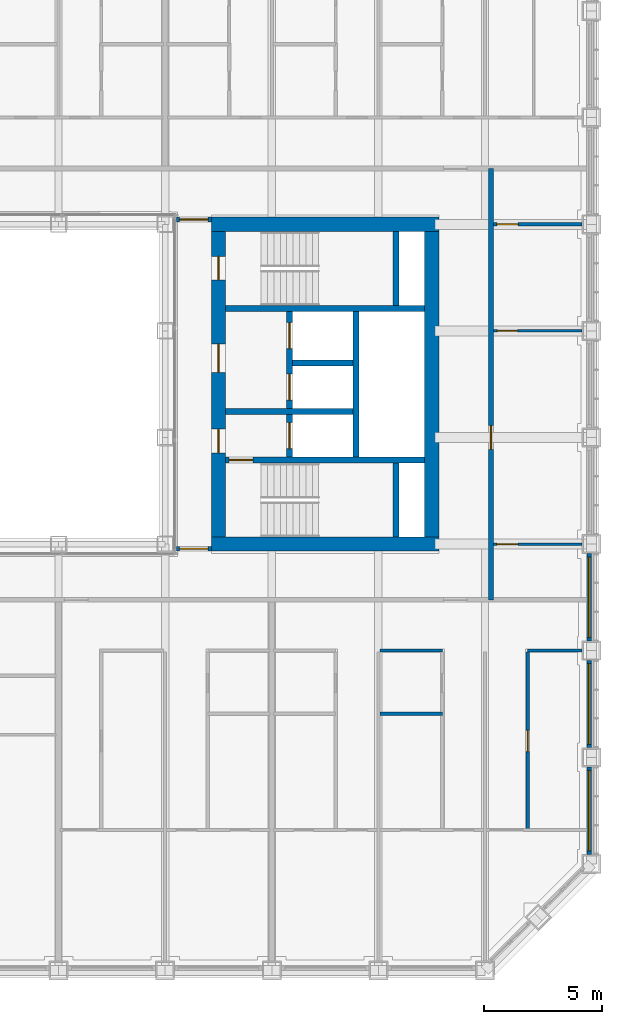
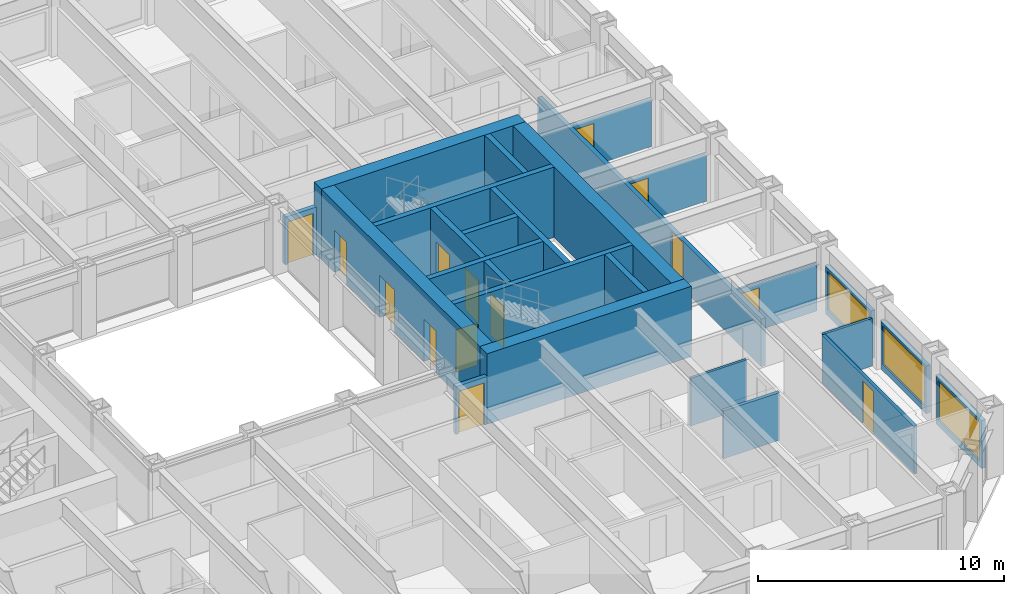
# One storey, part 12 of 21: 25 walls, 14 doors, 3 windows, 17 openings.
"""IFC4 building model written with IfcOpenShell, lengths in metres."""

from ifc_helpers import new_model, si_unit, direction, frame, frame_2d, origin, place, context, subcontext, project, spatial, rectangle, extrude, material, layer, layer_set, type_object, element, fill, save


model = new_model("IFC4")

# Units and contexts
model_context = context("Model", 3, precision=1e-05, world=origin(), true_north=direction((0.0, 1.0)))
body_context = subcontext(model_context, "Body", "Model", "MODEL_VIEW")
ifc_project = project(units=[si_unit("LENGTHUNIT", "METRE"), si_unit("AREAUNIT", "SQUARE_METRE"), si_unit("VOLUMEUNIT", "CUBIC_METRE"), si_unit("PLANEANGLEUNIT", "RADIAN"), si_unit("MASSUNIT", "GRAM", prefix="KILO")], contexts=[model_context])

# Site, building, storey
site_placement = place(None, origin())
site = spatial("IfcSite", under=ifc_project, at=site_placement, CompositionType="ELEMENT")
building_placement = place(site_placement, origin())
building = spatial("IfcBuilding", under=site, at=building_placement, Name="Msasa Ring Tower", CompositionType="ELEMENT")
storey_placement = place(building_placement, frame((0.0, 0.0, 72.0)))
storey = spatial("IfcBuildingStorey", under=building, at=storey_placement, Name="L18", CompositionType="ELEMENT", Elevation=72.0)

# Walls
ifc_material_1 = material(Name="Concrete C60/75", Category="concrete")
ifc_layer_1 = layer(ifc_material_1, 0.60009765625)
ifc_layer_set_1 = layer_set([ifc_layer_1], Name="CW1 CORE WALL 600")
wall_type_1 = type_object("IfcWallType", Name="CW1 CORE WALL 600", PredefinedType="SHEAR", material=ifc_layer_set_1)
for number, where, z_axis, x_axis, name in (
    (1, (8.699951171875, -6.75, 0.0), (0.0, 0.0, 1.0), (1.0, 0.0, 0.0), "E core wall S L18"),
    (2, (8.699951171875, 6.75, 0.0), (0.0, 0.0, 1.0), (1.0, 0.0, 0.0), "E core wall N L18"),
):
    element("IfcWall", number, at=place(storey_placement, frame(where, z_axis=z_axis, x_axis=x_axis)), inside=storey, type_object=wall_type_1, Name=name, PredefinedType="SHEAR", context=body_context, shape_type="SweptSolid", body=[
        extrude(rectangle(XDim=9.60009765625, YDim=0.60009765625, at=frame_2d((4.800048828125, 0.0))), origin(), (0.0, 0.0, 1.0), 3.5),
    ])

# Wall, openings, doors
wall_1_placement = place(storey_placement, frame((9.0, -6.449951171875, 0.0), z_axis=(0.0, 0.0, 1.0), x_axis=(0.0, 1.0, 0.0)))
wall_1 = element("IfcWall", 3, at=wall_1_placement, inside=storey, type_object=wall_type_1, Name="E core wall W L18", PredefinedType="SHEAR", context=body_context, shape_type="SweptSolid", body=[
    extrude(rectangle(XDim=12.89990234375, YDim=0.60009765625, at=frame_2d((6.449951171875, 0.0))), origin(), (0.0, 0.0, 1.0), 3.5),
])
opening_1_placement = place(wall_1_placement, frame((3.550048828125, 0.0, 0.0)))
opening_1 = element("IfcOpeningElement", 4, at=opening_1_placement, cuts=wall_1, Name="Opening RE-050", PredefinedType="OPENING", context=body_context, shape_type="SweptSolid", body=[
    extrude(rectangle(XDim=1.0, YDim=2.10009765625, at=frame_2d((0.5, 1.050048828125))), frame((0.0, 0.31005859375, 0.0), z_axis=(0.0, -1.0, 0.0), x_axis=(1.0, 0.0, 0.0)), (0.0, 0.0, 1.0), 0.6201171875),
])
opening_2_placement = place(wall_1_placement, frame((6.949951171875, 0.0, 0.0)))
opening_2 = element("IfcOpeningElement", 5, at=opening_2_placement, cuts=wall_1, Name="Opening RE-045", PredefinedType="OPENING", context=body_context, shape_type="SweptSolid", body=[
    extrude(rectangle(XDim=1.199951171875, YDim=2.10009765625, at=frame_2d((0.60009765625, 1.050048828125))), frame((0.0, 0.31005859375, 0.0), z_axis=(0.0, -1.0, 0.0), x_axis=(1.0, 0.0, 0.0)), (0.0, 0.0, 1.0), 0.6201171875),
])
opening_3_placement = place(wall_1_placement, frame((10.85009765625, 0.0, 0.0)))
opening_3 = element("IfcOpeningElement", 6, at=opening_3_placement, cuts=wall_1, Name="Opening RE-041", PredefinedType="OPENING", context=body_context, shape_type="SweptSolid", body=[
    extrude(rectangle(XDim=1.0, YDim=2.10009765625, at=frame_2d((0.5, 1.050048828125))), frame((0.0, 0.31005859375, 0.0), z_axis=(0.0, -1.0, 0.0), x_axis=(1.0, 0.0, 0.0)), (0.0, 0.0, 1.0), 0.6201171875),
])
ifc_material_2 = material(Name="Timber door leaf in a steel frame", Category="steel")
door_type_1 = type_object("IfcDoorType", Name="D4 LOBBY DOOR 1000x2100", OperationType="SINGLE_SWING_LEFT", PredefinedType="DOOR", material=ifc_material_2)
door_1_placement = place(opening_1_placement, origin())
door_1 = element("IfcDoor", 7, at=door_1_placement, inside=storey, type_object=door_type_1, Name="Door L18-EFFL", OperationType="SINGLE_SWING_LEFT", OverallHeight=2.10009765625, OverallWidth=1.0, PredefinedType="DOOR", context=body_context, shape_type="SweptSolid", body=[
    extrude(rectangle(XDim=1.0, YDim=2.10009765625, at=frame_2d((0.5, 1.050048828125))), frame((0.0, 0.02490234375, 0.0), z_axis=(0.0, -1.0, 0.0), x_axis=(1.0, 0.0, 0.0)), (0.0, 0.0, 1.0), 0.050048828125),
])
fill(opening_1, door_1)
ifc_material_3 = material(Name="Timber door leaf in a steel frame", Category="steel")
door_type_2 = type_object("IfcDoorType", Name="D5 WIDE LOBBY DOOR 1200x2100", OperationType="SINGLE_SWING_LEFT", PredefinedType="DOOR", material=ifc_material_3)
door_2_placement = place(opening_2_placement, origin())
door_2 = element("IfcDoor", 8, at=door_2_placement, inside=storey, type_object=door_type_2, Name="Door L18-ELL", OperationType="SINGLE_SWING_RIGHT", OverallHeight=2.10009765625, OverallWidth=1.199951171875, PredefinedType="DOOR", context=body_context, shape_type="SweptSolid", body=[
    extrude(rectangle(XDim=1.199951171875, YDim=2.10009765625, at=frame_2d((0.60009765625, 1.050048828125))), frame((0.0, 0.02490234375, 0.0), z_axis=(0.0, -1.0, 0.0), x_axis=(1.0, 0.0, 0.0)), (0.0, 0.0, 1.0), 0.050048828125),
])
fill(opening_2, door_2)
ifc_material_4 = material(Name="Timber door leaf in a steel frame", Category="steel")
door_type_3 = type_object("IfcDoorType", Name="D6 STAIR DOOR 1000x2100", OperationType="SINGLE_SWING_LEFT", PredefinedType="DOOR", material=ifc_material_4)
door_3_placement = place(opening_3_placement, origin())
door_3 = element("IfcDoor", 9, at=door_3_placement, inside=storey, type_object=door_type_3, Name="Door L18-ESTB", OperationType="SINGLE_SWING_RIGHT", OverallHeight=2.10009765625, OverallWidth=1.0, PredefinedType="DOOR", context=body_context, shape_type="SweptSolid", body=[
    extrude(rectangle(XDim=1.0, YDim=2.10009765625, at=frame_2d((0.5, 1.050048828125))), frame((0.0, 0.02490234375, 0.0), z_axis=(0.0, -1.0, 0.0), x_axis=(1.0, 0.0, 0.0)), (0.0, 0.0, 1.0), 0.050048828125),
])
fill(opening_3, door_3)

# Wall
wall_2_placement = place(storey_placement, frame((18.0, -6.449951171875, 0.0), z_axis=(0.0, 0.0, 1.0), x_axis=(0.0, 1.0, 0.0)))
element("IfcWall", 10, at=wall_2_placement, inside=storey, type_object=wall_type_1, Name="E core wall E L18", PredefinedType="SHEAR", context=body_context, shape_type="SweptSolid", body=[
    extrude(rectangle(XDim=12.89990234375, YDim=0.60009765625, at=frame_2d((6.449951171875, 0.0))), origin(), (0.0, 0.0, 1.0), 3.5),
])

# Wall, opening, door
ifc_material_5 = material(Name="Concrete C60/75", Category="concrete")
ifc_layer_2 = layer(ifc_material_5, 0.25)
ifc_layer_set_2 = layer_set([ifc_layer_2], Name="CW4 CORE INNER WALL 250")
wall_type_2 = type_object("IfcWallType", Name="CW4 CORE INNER WALL 250", PredefinedType="SHEAR", material=ifc_layer_set_2)
wall_3_placement = place(storey_placement, frame((9.300048828125, -3.199951171875, 0.0), z_axis=(0.0, 0.0, 1.0), x_axis=(1.0, 0.0, 0.0)))
wall_3 = element("IfcWall", 11, at=wall_3_placement, inside=storey, type_object=wall_type_2, Name="E core wall STAIRA L18", PredefinedType="SHEAR", context=body_context, shape_type="SweptSolid", body=[
    extrude(rectangle(XDim=8.39990234375, YDim=0.25, at=frame_2d((4.199951171875, 0.0))), origin(), (0.0, 0.0, 1.0), 3.5),
])
opening_4_placement = place(wall_3_placement, frame((0.14990234375, 0.0, 0.0)))
opening_4 = element("IfcOpeningElement", 12, at=opening_4_placement, cuts=wall_3, Name="Opening RE-052", PredefinedType="OPENING", context=body_context, shape_type="SweptSolid", body=[
    extrude(rectangle(XDim=1.0, YDim=2.10009765625, at=frame_2d((0.5, 1.050048828125))), frame((0.0, 0.135009765625, 0.0), z_axis=(0.0, -1.0, 0.0), x_axis=(1.0, 0.0, 0.0)), (0.0, 0.0, 1.0), 0.27001953125),
])
door_4_placement = place(opening_4_placement, origin())
door_4 = element("IfcDoor", 13, at=door_4_placement, inside=storey, type_object=door_type_3, Name="Door L18-ESTA", OperationType="SINGLE_SWING_LEFT", OverallHeight=2.10009765625, OverallWidth=1.0, PredefinedType="DOOR", context=body_context, shape_type="SweptSolid", body=[
    extrude(rectangle(XDim=1.0, YDim=2.10009765625, at=frame_2d((0.5, 1.050048828125))), frame((0.0, 0.02490234375, 0.0), z_axis=(0.0, -1.0, 0.0), x_axis=(1.0, 0.0, 0.0)), (0.0, 0.0, 1.0), 0.050048828125),
])
fill(opening_4, door_4)

# Walls
wall_4_placement = place(storey_placement, frame((9.300048828125, 3.199951171875, 0.0), z_axis=(0.0, 0.0, 1.0), x_axis=(1.0, 0.0, 0.0)))
element("IfcWall", 14, at=wall_4_placement, inside=storey, type_object=wall_type_2, Name="E core wall STAIRB L18", PredefinedType="SHEAR", context=body_context, shape_type="SweptSolid", body=[
    extrude(rectangle(XDim=8.39990234375, YDim=0.25, at=frame_2d((4.199951171875, 0.0))), origin(), (0.0, 0.0, 1.0), 3.5),
])
for number, where, z_axis, x_axis, name in (
    (15, (16.5, -6.449951171875, 0.0), (0.0, 0.0, 1.0), (0.0, 1.0, 0.0), "E core wall RISERA L18"),
    (16, (16.5, 3.324951171875, 0.0), (0.0, 0.0, 1.0), (0.0, 1.0, 0.0), "E core wall RISERB L18"),
):
    element("IfcWall", number, at=place(storey_placement, frame(where, z_axis=z_axis, x_axis=x_axis)), inside=storey, type_object=wall_type_2, Name=name, PredefinedType="SHEAR", context=body_context, shape_type="SweptSolid", body=[
        extrude(rectangle(XDim=3.125, YDim=0.25, at=frame_2d((1.5625, 0.0))), origin(), (0.0, 0.0, 1.0), 3.5),
    ])
wall_5_placement = place(storey_placement, frame((9.300048828125, -1.14990234375, 0.0), z_axis=(0.0, 0.0, 1.0), x_axis=(1.0, 0.0, 0.0)))
element("IfcWall", 17, at=wall_5_placement, inside=storey, type_object=wall_type_2, Name="E core wall FFL L18", PredefinedType="SHEAR", context=body_context, shape_type="SweptSolid", body=[
    extrude(rectangle(XDim=5.375, YDim=0.25, at=frame_2d((2.6875, 0.0))), origin(), (0.0, 0.0, 1.0), 3.5),
])

# Wall, openings, doors
wall_6_placement = place(storey_placement, frame((12.0, -3.074951171875, 0.0), z_axis=(0.0, 0.0, 1.0), x_axis=(0.0, 1.0, 0.0)))
wall_6 = element("IfcWall", 18, at=wall_6_placement, inside=storey, type_object=wall_type_2, Name="E core wall LOBBY L18", PredefinedType="SHEAR", context=body_context, shape_type="SweptSolid", body=[
    extrude(rectangle(XDim=6.14990234375, YDim=0.25, at=frame_2d((3.074951171875, 0.0))), origin(), (0.0, 0.0, 1.0), 3.5),
])
opening_5_placement = place(wall_6_placement, frame((0.35009765625, 0.0, 0.0)))
opening_5 = element("IfcOpeningElement", 19, at=opening_5_placement, cuts=wall_6, Name="Opening LD1", PredefinedType="OPENING", context=body_context, shape_type="SweptSolid", body=[
    extrude(rectangle(XDim=1.10009765625, YDim=2.10009765625, at=frame_2d((0.550048828125, 1.050048828125))), frame((0.0, 0.135009765625, 0.0), z_axis=(0.0, -1.0, 0.0), x_axis=(1.0, 0.0, 0.0)), (0.0, 0.0, 1.0), 0.27001953125),
])
opening_6_placement = place(wall_6_placement, frame((2.39990234375, 0.0, 0.0)))
opening_6 = element("IfcOpeningElement", 20, at=opening_6_placement, cuts=wall_6, Name="Opening LD1", PredefinedType="OPENING", context=body_context, shape_type="SweptSolid", body=[
    extrude(rectangle(XDim=1.10009765625, YDim=2.10009765625, at=frame_2d((0.550048828125, 1.050048828125))), frame((0.0, 0.135009765625, 0.0), z_axis=(0.0, -1.0, 0.0), x_axis=(1.0, 0.0, 0.0)), (0.0, 0.0, 1.0), 0.27001953125),
])
opening_7_placement = place(wall_6_placement, frame((4.574951171875, 0.0, 0.0)))
opening_7 = element("IfcOpeningElement", 21, at=opening_7_placement, cuts=wall_6, Name="Opening LD1", PredefinedType="OPENING", context=body_context, shape_type="SweptSolid", body=[
    extrude(rectangle(XDim=1.10009765625, YDim=2.10009765625, at=frame_2d((0.550048828125, 1.050048828125))), frame((0.0, 0.135009765625, 0.0), z_axis=(0.0, -1.0, 0.0), x_axis=(1.0, 0.0, 0.0)), (0.0, 0.0, 1.0), 0.27001953125),
])
ifc_material_6 = material(Name="Stainless steel lift landing door", Category="steel")
door_type_4 = type_object("IfcDoorType", Name="LD1 LIFT LANDING DOOR 1100x2100", OperationType="DOUBLE_DOOR_SLIDING", PredefinedType="DOOR", material=ifc_material_6)
door_5_placement = place(opening_5_placement, origin())
door_5 = element("IfcDoor", 22, at=door_5_placement, inside=storey, type_object=door_type_4, Name="Lift landing door FL-E L18", OperationType="DOUBLE_DOOR_SLIDING", OverallHeight=2.10009765625, OverallWidth=1.10009765625, PredefinedType="DOOR", context=body_context, shape_type="SweptSolid", body=[
    extrude(rectangle(XDim=1.10009765625, YDim=2.10009765625, at=frame_2d((0.550048828125, 1.050048828125))), frame((0.0, 0.02490234375, 0.0), z_axis=(0.0, -1.0, 0.0), x_axis=(1.0, 0.0, 0.0)), (0.0, 0.0, 1.0), 0.050048828125),
])
fill(opening_5, door_5)
door_6_placement = place(opening_6_placement, origin())
door_6 = element("IfcDoor", 23, at=door_6_placement, inside=storey, type_object=door_type_4, Name="Lift landing door PL-R1 L18", OperationType="DOUBLE_DOOR_SLIDING", OverallHeight=2.10009765625, OverallWidth=1.10009765625, PredefinedType="DOOR", context=body_context, shape_type="SweptSolid", body=[
    extrude(rectangle(XDim=1.10009765625, YDim=2.10009765625, at=frame_2d((0.550048828125, 1.050048828125))), frame((0.0, 0.02490234375, 0.0), z_axis=(0.0, -1.0, 0.0), x_axis=(1.0, 0.0, 0.0)), (0.0, 0.0, 1.0), 0.050048828125),
])
fill(opening_6, door_6)
door_7_placement = place(opening_7_placement, origin())
door_7 = element("IfcDoor", 24, at=door_7_placement, inside=storey, type_object=door_type_4, Name="Lift landing door PL-R2 L18", OperationType="DOUBLE_DOOR_SLIDING", OverallHeight=2.10009765625, OverallWidth=1.10009765625, PredefinedType="DOOR", context=body_context, shape_type="SweptSolid", body=[
    extrude(rectangle(XDim=1.10009765625, YDim=2.10009765625, at=frame_2d((0.550048828125, 1.050048828125))), frame((0.0, 0.02490234375, 0.0), z_axis=(0.0, -1.0, 0.0), x_axis=(1.0, 0.0, 0.0)), (0.0, 0.0, 1.0), 0.050048828125),
])
fill(opening_7, door_7)

# Walls
wall_7_placement = place(storey_placement, frame((14.800048828125, -3.074951171875, 0.0), z_axis=(0.0, 0.0, 1.0), x_axis=(0.0, 1.0, 0.0)))
element("IfcWall", 25, at=wall_7_placement, inside=storey, type_object=wall_type_2, Name="E core wall SHAFT L18", PredefinedType="SHEAR", context=body_context, shape_type="SweptSolid", body=[
    extrude(rectangle(XDim=6.14990234375, YDim=0.25, at=frame_2d((3.074951171875, 0.0))), origin(), (0.0, 0.0, 1.0), 3.5),
])
wall_8_placement = place(storey_placement, frame((12.125, 0.89990234375, 0.0), z_axis=(0.0, 0.0, 1.0), x_axis=(1.0, 0.0, 0.0)))
element("IfcWall", 26, at=wall_8_placement, inside=storey, type_object=wall_type_2, Name="E core wall LIFT1 L18", PredefinedType="SHEAR", context=body_context, shape_type="SweptSolid", body=[
    extrude(rectangle(XDim=2.550048828125, YDim=0.25, at=frame_2d((1.27490234375, 0.0))), origin(), (0.0, 0.0, 1.0), 3.5),
])

# Wall, opening, window
ifc_material_7 = material(Name="Terracotta rainscreen on blockwork", Category="masonry")
ifc_layer_3 = layer(ifc_material_7, 0.199951171875)
ifc_layer_set_3 = layer_set([ifc_layer_3], Name="FW1 TERRACOTTA-LINED INFILL BAY WALL 200")
wall_type_3 = type_object("IfcWallType", Name="FW1 TERRACOTTA-LINED INFILL BAY WALL 200", PredefinedType="SOLIDWALL", material=ifc_layer_set_3)
wall_9_placement = place(storey_placement, frame((24.64990234375, -19.844970703125, 0.0), z_axis=(0.0, 0.0, 1.0), x_axis=(0.0, 1.0, 0.0)))
wall_9 = element("IfcWall", 27, at=wall_9_placement, inside=storey, type_object=wall_type_3, Name="Infill bay wall E L18 11", PredefinedType="SOLIDWALL", context=body_context, shape_type="SweptSolid", body=[
    extrude(rectangle(XDim=3.68994140625, YDim=0.199951171875, at=frame_2d((1.844970703125, 0.0))), origin(), (0.0, 0.0, 1.0), 2.37890625),
])
opening_8_placement = place(wall_9_placement, frame((0.14501953125, 0.0, 0.300048828125)))
opening_8 = element("IfcOpeningElement", 28, at=opening_8_placement, cuts=wall_9, Name="Opening WN1", PredefinedType="OPENING", context=body_context, shape_type="SweptSolid", body=[
    extrude(rectangle(XDim=3.39990234375, YDim=1.928955078125, at=frame_2d((1.699951171875, 0.96435546875))), frame((0.0, 0.10986328125, 0.0), z_axis=(0.0, -1.0, 0.0), x_axis=(1.0, 0.0, 0.0)), (0.0, 0.0, 1.0), 0.219970703125),
])
ifc_material_8 = material(Name="Aluminium frame with clear glass", Category="aluminium")
window_type = type_object("IfcWindowType", Name="WN1 RESIDENCE WINDOW 3400x1929", PartitioningType="SINGLE_PANEL", PredefinedType="WINDOW", material=ifc_material_8)
window_1_placement = place(opening_8_placement, origin())
window_1 = element("IfcWindow", 29, at=window_1_placement, inside=storey, type_object=window_type, Name="Window E L18 11", OverallHeight=1.928955078125, OverallWidth=3.39990234375, PartitioningType="SINGLE_PANEL", PredefinedType="WINDOW", context=body_context, shape_type="SweptSolid", body=[
    extrude(rectangle(XDim=3.39990234375, YDim=1.928955078125, at=frame_2d((1.699951171875, 0.96435546875))), frame((0.0, 0.030029296875, 0.0), z_axis=(0.0, -1.0, 0.0), x_axis=(1.0, 0.0, 0.0)), (0.0, 0.0, 1.0), 0.06005859375),
])
fill(opening_8, window_1)

wall_10_placement = place(storey_placement, frame((24.64990234375, -15.344970703125, 0.0), z_axis=(0.0, 0.0, 1.0), x_axis=(0.0, 1.0, 0.0)))
wall_10 = element("IfcWall", 30, at=wall_10_placement, inside=storey, type_object=wall_type_3, Name="Infill bay wall E L18 12", PredefinedType="SOLIDWALL", context=body_context, shape_type="SweptSolid", body=[
    extrude(rectangle(XDim=3.68994140625, YDim=0.199951171875, at=frame_2d((1.844970703125, 0.0))), origin(), (0.0, 0.0, 1.0), 2.37890625),
])
opening_9_placement = place(wall_10_placement, frame((0.14501953125, 0.0, 0.300048828125)))
opening_9 = element("IfcOpeningElement", 31, at=opening_9_placement, cuts=wall_10, Name="Opening WN1", PredefinedType="OPENING", context=body_context, shape_type="SweptSolid", body=[
    extrude(rectangle(XDim=3.39990234375, YDim=1.928955078125, at=frame_2d((1.699951171875, 0.96435546875))), frame((0.0, 0.10986328125, 0.0), z_axis=(0.0, -1.0, 0.0), x_axis=(1.0, 0.0, 0.0)), (0.0, 0.0, 1.0), 0.219970703125),
])
window_2_placement = place(opening_9_placement, origin())
window_2 = element("IfcWindow", 32, at=window_2_placement, inside=storey, type_object=window_type, Name="Window E L18 12", OverallHeight=1.928955078125, OverallWidth=3.39990234375, PartitioningType="SINGLE_PANEL", PredefinedType="WINDOW", context=body_context, shape_type="SweptSolid", body=[
    extrude(rectangle(XDim=3.39990234375, YDim=1.928955078125, at=frame_2d((1.699951171875, 0.96435546875))), frame((0.0, 0.030029296875, 0.0), z_axis=(0.0, -1.0, 0.0), x_axis=(1.0, 0.0, 0.0)), (0.0, 0.0, 1.0), 0.06005859375),
])
fill(opening_9, window_2)

wall_11_placement = place(storey_placement, frame((24.64990234375, -10.844970703125, 0.0), z_axis=(0.0, 0.0, 1.0), x_axis=(0.0, 1.0, 0.0)))
wall_11 = element("IfcWall", 33, at=wall_11_placement, inside=storey, type_object=wall_type_3, Name="Infill bay wall E L18 13", PredefinedType="SOLIDWALL", context=body_context, shape_type="SweptSolid", body=[
    extrude(rectangle(XDim=3.68994140625, YDim=0.199951171875, at=frame_2d((1.844970703125, 0.0))), origin(), (0.0, 0.0, 1.0), 2.37890625),
])
opening_10_placement = place(wall_11_placement, frame((0.14501953125, 0.0, 0.300048828125)))
opening_10 = element("IfcOpeningElement", 34, at=opening_10_placement, cuts=wall_11, Name="Opening WN1", PredefinedType="OPENING", context=body_context, shape_type="SweptSolid", body=[
    extrude(rectangle(XDim=3.39990234375, YDim=1.928955078125, at=frame_2d((1.699951171875, 0.96435546875))), frame((0.0, 0.10986328125, 0.0), z_axis=(0.0, -1.0, 0.0), x_axis=(1.0, 0.0, 0.0)), (0.0, 0.0, 1.0), 0.219970703125),
])
window_3_placement = place(opening_10_placement, origin())
window_3 = element("IfcWindow", 35, at=window_3_placement, inside=storey, type_object=window_type, Name="Window E L18 13", OverallHeight=1.928955078125, OverallWidth=3.39990234375, PartitioningType="SINGLE_PANEL", PredefinedType="WINDOW", context=body_context, shape_type="SweptSolid", body=[
    extrude(rectangle(XDim=3.39990234375, YDim=1.928955078125, at=frame_2d((1.699951171875, 0.96435546875))), frame((0.0, 0.030029296875, 0.0), z_axis=(0.0, -1.0, 0.0), x_axis=(1.0, 0.0, 0.0)), (0.0, 0.0, 1.0), 0.06005859375),
])
fill(opening_10, window_3)

# Wall, opening, door
ifc_material_9 = material(Name="Concrete blockwork", Category="masonry")
ifc_layer_4 = layer(ifc_material_9, 0.199951171875)
ifc_layer_set_4 = layer_set([ifc_layer_4], Name="PT1 CORRIDOR WALL 200")
wall_type_4 = type_object("IfcWallType", Name="PT1 CORRIDOR WALL 200", PredefinedType="PARTITIONING", material=ifc_layer_set_4)
wall_12_placement = place(storey_placement, frame((7.22998046875, 6.949951171875, 0.0), z_axis=(0.0, 0.0, 1.0), x_axis=(1.0, 0.0, 0.0)))
wall_12 = element("IfcWall", 36, at=wall_12_placement, inside=storey, type_object=wall_type_4, Name="Corridor wall L18-SDEN", PredefinedType="PARTITIONING", context=body_context, shape_type="SweptSolid", body=[
    extrude(rectangle(XDim=1.469970703125, YDim=0.199951171875, at=frame_2d((0.73486328125, 0.0))), origin(), (0.0, 0.0, 1.0), 2.373291015625),
])
opening_11_placement = place(wall_12_placement, frame((0.135009765625, 0.0, 0.0)))
opening_11 = element("IfcOpeningElement", 37, at=opening_11_placement, cuts=wall_12, Name="Opening RE-037", PredefinedType="OPENING", context=body_context, shape_type="SweptSolid", body=[
    extrude(rectangle(XDim=1.199951171875, YDim=2.10009765625, at=frame_2d((0.60009765625, 1.050048828125))), frame((0.0, 0.10986328125, 0.0), z_axis=(0.0, -1.0, 0.0), x_axis=(1.0, 0.0, 0.0)), (0.0, 0.0, 1.0), 0.219970703125),
])
ifc_material_10 = material(Name="Timber door leaf in a steel frame", Category="steel")
door_type_5 = type_object("IfcDoorType", Name="D25 CORRIDOR PAIR OF SMOKE DOORS 1200x2100", OperationType="DOUBLE_DOOR_DOUBLE_SWING", PredefinedType="DOOR", material=ifc_material_10)
door_8_placement = place(opening_11_placement, origin())
door_8 = element("IfcDoor", 38, at=door_8_placement, inside=storey, type_object=door_type_5, Name="Door L18-SDEN", OperationType="DOUBLE_DOOR_DOUBLE_SWING", OverallHeight=2.10009765625, OverallWidth=1.199951171875, PredefinedType="DOOR", context=body_context, shape_type="SweptSolid", body=[
    extrude(rectangle(XDim=1.199951171875, YDim=2.10009765625, at=frame_2d((0.60009765625, 1.050048828125))), frame((0.0, 0.02490234375, 0.0), z_axis=(0.0, -1.0, 0.0), x_axis=(1.0, 0.0, 0.0)), (0.0, 0.0, 1.0), 0.050048828125),
])
fill(opening_11, door_8)

wall_13_placement = place(storey_placement, frame((7.22998046875, -6.949951171875, 0.0), z_axis=(0.0, 0.0, 1.0), x_axis=(1.0, 0.0, 0.0)))
wall_13 = element("IfcWall", 39, at=wall_13_placement, inside=storey, type_object=wall_type_4, Name="Corridor wall L18-SDES", PredefinedType="PARTITIONING", context=body_context, shape_type="SweptSolid", body=[
    extrude(rectangle(XDim=1.469970703125, YDim=0.199951171875, at=frame_2d((0.73486328125, 0.0))), origin(), (0.0, 0.0, 1.0), 2.373291015625),
])
opening_12_placement = place(wall_13_placement, frame((0.135009765625, 0.0, 0.0)))
opening_12 = element("IfcOpeningElement", 40, at=opening_12_placement, cuts=wall_13, Name="Opening RE-055", PredefinedType="OPENING", context=body_context, shape_type="SweptSolid", body=[
    extrude(rectangle(XDim=1.199951171875, YDim=2.10009765625, at=frame_2d((0.60009765625, 1.050048828125))), frame((0.0, 0.10986328125, 0.0), z_axis=(0.0, -1.0, 0.0), x_axis=(1.0, 0.0, 0.0)), (0.0, 0.0, 1.0), 0.219970703125),
])
door_9_placement = place(opening_12_placement, origin())
door_9 = element("IfcDoor", 41, at=door_9_placement, inside=storey, type_object=door_type_5, Name="Door L18-SDES", OperationType="DOUBLE_DOOR_DOUBLE_SWING", OverallHeight=2.10009765625, OverallWidth=1.199951171875, PredefinedType="DOOR", context=body_context, shape_type="SweptSolid", body=[
    extrude(rectangle(XDim=1.199951171875, YDim=2.10009765625, at=frame_2d((0.60009765625, 1.050048828125))), frame((0.0, 0.02490234375, 0.0), z_axis=(0.0, -1.0, 0.0), x_axis=(1.0, 0.0, 0.0)), (0.0, 0.0, 1.0), 0.050048828125),
])
fill(opening_12, door_9)

wall_14_placement = place(storey_placement, frame((20.5, -9.10009765625, 0.0), z_axis=(0.0, 0.0, 1.0), x_axis=(0.0, 1.0, 0.0)))
wall_14 = element("IfcWall", 42, at=wall_14_placement, inside=storey, type_object=wall_type_4, Name="Corridor wall L18-STRE", PredefinedType="PARTITIONING", context=body_context, shape_type="SweptSolid", body=[
    extrude(rectangle(XDim=18.2001953125, YDim=0.199951171875, at=frame_2d((9.10009765625, 0.0))), origin(), (0.0, 0.0, 1.0), 2.373291015625),
])
opening_13_placement = place(wall_14_placement, frame((6.35009765625, 0.0, 0.0)))
opening_13 = element("IfcOpeningElement", 43, at=opening_13_placement, cuts=wall_14, Name="Opening RE-048", PredefinedType="OPENING", context=body_context, shape_type="SweptSolid", body=[
    extrude(rectangle(XDim=1.0, YDim=2.300048828125, at=frame_2d((0.5, 1.14990234375))), frame((0.0, 0.10986328125, 0.0), z_axis=(0.0, -1.0, 0.0), x_axis=(1.0, 0.0, 0.0)), (0.0, 0.0, 1.0), 0.219970703125),
])
ifc_material_11 = material(Name="Timber door leaf in a steel frame", Category="steel")
door_type_6 = type_object("IfcDoorType", Name="D16 UPPER RESIDENCE ENTRANCE DOOR 1000x2300", OperationType="SINGLE_SWING_LEFT", PredefinedType="DOOR", material=ifc_material_11)
door_10_placement = place(opening_13_placement, origin())
door_10 = element("IfcDoor", 44, at=door_10_placement, inside=storey, type_object=door_type_6, Name="Door L18-STE", OperationType="SINGLE_SWING_LEFT", OverallHeight=2.300048828125, OverallWidth=1.0, PredefinedType="DOOR", context=body_context, shape_type="SweptSolid", body=[
    extrude(rectangle(XDim=1.0, YDim=2.300048828125, at=frame_2d((0.5, 1.14990234375))), frame((0.0, 0.02490234375, 0.0), z_axis=(0.0, -1.0, 0.0), x_axis=(1.0, 0.0, 0.0)), (0.0, 0.0, 1.0), 0.050048828125),
])
fill(opening_13, door_10)

ifc_material_12 = material(Name="Gypsum board on steel studs", Category="steel")
ifc_layer_5 = layer(ifc_material_12, 0.10009765625)
ifc_layer_set_5 = layer_set([ifc_layer_5], Name="PT2 STUD PARTITION 100")
wall_type_5 = type_object("IfcWallType", Name="PT2 STUD PARTITION 100", PredefinedType="PARTITIONING", material=ifc_layer_set_5)
wall_15_placement = place(storey_placement, frame((20.60009765625, -6.75, 0.0), z_axis=(0.0, 0.0, 1.0), x_axis=(1.0, 0.0, 0.0)))
wall_15 = element("IfcWall", 45, at=wall_15_placement, inside=storey, type_object=wall_type_5, Name="Partition L18-STEKY", PredefinedType="PARTITIONING", context=body_context, shape_type="SweptSolid", body=[
    extrude(rectangle(XDim=3.75, YDim=0.10009765625, at=frame_2d((1.875, 0.0))), origin(), (0.0, 0.0, 1.0), 2.373291015625),
])
opening_14_placement = place(wall_15_placement, frame((0.14990234375, 0.0, 0.0)))
opening_14 = element("IfcOpeningElement", 46, at=opening_14_placement, cuts=wall_15, Name="Opening RE-054", PredefinedType="OPENING", context=body_context, shape_type="SweptSolid", body=[
    extrude(rectangle(XDim=0.89990234375, YDim=2.10009765625, at=frame_2d((0.449951171875, 1.050048828125))), frame((0.0, 0.06005859375, 0.0), z_axis=(0.0, -1.0, 0.0), x_axis=(1.0, 0.0, 0.0)), (0.0, 0.0, 1.0), 0.1201171875),
])
ifc_material_13 = material(Name="Timber door leaf in a steel frame", Category="steel")
door_type_7 = type_object("IfcDoorType", Name="D22 INTERNAL HALL DOOR 900x2100", OperationType="SINGLE_SWING_LEFT", PredefinedType="DOOR", material=ifc_material_13)
door_11_placement = place(opening_14_placement, origin())
door_11 = element("IfcDoor", 47, at=door_11_placement, inside=storey, type_object=door_type_7, Name="Door L18-STEK", OperationType="SINGLE_SWING_LEFT", OverallHeight=2.10009765625, OverallWidth=0.89990234375, PredefinedType="DOOR", context=body_context, shape_type="SweptSolid", body=[
    extrude(rectangle(XDim=0.89990234375, YDim=2.10009765625, at=frame_2d((0.449951171875, 1.050048828125))), frame((0.0, 0.02490234375, 0.0), z_axis=(0.0, -1.0, 0.0), x_axis=(1.0, 0.0, 0.0)), (0.0, 0.0, 1.0), 0.050048828125),
])
fill(opening_14, door_11)

wall_16_placement = place(storey_placement, frame((20.60009765625, 2.25, 0.0), z_axis=(0.0, 0.0, 1.0), x_axis=(1.0, 0.0, 0.0)))
wall_16 = element("IfcWall", 48, at=wall_16_placement, inside=storey, type_object=wall_type_5, Name="Partition L18-STERY", PredefinedType="PARTITIONING", context=body_context, shape_type="SweptSolid", body=[
    extrude(rectangle(XDim=3.75, YDim=0.10009765625, at=frame_2d((1.875, 0.0))), origin(), (0.0, 0.0, 1.0), 2.373291015625),
])
opening_15_placement = place(wall_16_placement, frame((0.175048828125, 0.0, 0.0)))
opening_15 = element("IfcOpeningElement", 49, at=opening_15_placement, cuts=wall_16, Name="Opening RE-043", PredefinedType="OPENING", context=body_context, shape_type="SweptSolid", body=[
    extrude(rectangle(XDim=0.85009765625, YDim=2.10009765625, at=frame_2d((0.425048828125, 1.050048828125))), frame((0.0, 0.06005859375, 0.0), z_axis=(0.0, -1.0, 0.0), x_axis=(1.0, 0.0, 0.0)), (0.0, 0.0, 1.0), 0.1201171875),
])
ifc_material_14 = material(Name="Timber door leaf in a steel frame", Category="steel")
door_type_8 = type_object("IfcDoorType", Name="D14 BEDROOM DOOR 850x2100", OperationType="SINGLE_SWING_LEFT", PredefinedType="DOOR", material=ifc_material_14)
door_12_placement = place(opening_15_placement, origin())
door_12 = element("IfcDoor", 50, at=door_12_placement, inside=storey, type_object=door_type_8, Name="Door L18-STER", OperationType="SINGLE_SWING_LEFT", OverallHeight=2.10009765625, OverallWidth=0.85009765625, PredefinedType="DOOR", context=body_context, shape_type="SweptSolid", body=[
    extrude(rectangle(XDim=0.85009765625, YDim=2.10009765625, at=frame_2d((0.425048828125, 1.050048828125))), frame((0.0, 0.02490234375, 0.0), z_axis=(0.0, -1.0, 0.0), x_axis=(1.0, 0.0, 0.0)), (0.0, 0.0, 1.0), 0.050048828125),
])
fill(opening_15, door_12)

ifc_material_15 = material(Name="Moisture-resistant board on steel studs with a concealed cistern and pipe void, tiled", Category="steel")
ifc_layer_6 = layer(ifc_material_15, 0.14990234375)
ifc_layer_set_6 = layer_set([ifc_layer_6], Name="PT4 BATHROOM WET WALL 150")
wall_type_6 = type_object("IfcWallType", Name="PT4 BATHROOM WET WALL 150", PredefinedType="PARTITIONING", material=ifc_layer_set_6)
wall_17_placement = place(storey_placement, frame((22.050048828125, -18.8125, 0.0), z_axis=(0.0, 0.0, 1.0), x_axis=(0.0, 1.0, 0.0)))
wall_17 = element("IfcWall", 51, at=wall_17_placement, inside=storey, type_object=wall_type_6, Name="Partition L18-US04SX0", PredefinedType="PARTITIONING", context=body_context, shape_type="SweptSolid", body=[
    extrude(rectangle(XDim=7.5, YDim=0.14990234375, at=frame_2d((3.75, 0.0))), origin(), (0.0, 0.0, 1.0), 2.373291015625),
])
opening_16_placement = place(wall_17_placement, frame((3.300048828125, 0.0, 0.0)))
opening_16 = element("IfcOpeningElement", 52, at=opening_16_placement, cuts=wall_17, Name="Opening RE-072", PredefinedType="OPENING", context=body_context, shape_type="SweptSolid", body=[
    extrude(rectangle(XDim=0.89990234375, YDim=2.10009765625, at=frame_2d((0.449951171875, 1.050048828125))), frame((0.0, 0.0849609375, 0.0), z_axis=(0.0, -1.0, 0.0), x_axis=(1.0, 0.0, 0.0)), (0.0, 0.0, 1.0), 0.169921875),
])
door_13_placement = place(opening_16_placement, origin())
door_13 = element("IfcDoor", 53, at=door_13_placement, inside=storey, type_object=door_type_7, Name="Door L18-US04K", OperationType="SINGLE_SWING_LEFT", OverallHeight=2.10009765625, OverallWidth=0.89990234375, PredefinedType="DOOR", context=body_context, shape_type="SweptSolid", body=[
    extrude(rectangle(XDim=0.89990234375, YDim=2.10009765625, at=frame_2d((0.449951171875, 1.050048828125))), frame((0.0, 0.02490234375, 0.0), z_axis=(0.0, -1.0, 0.0), x_axis=(1.0, 0.0, 0.0)), (0.0, 0.0, 1.0), 0.050048828125),
])
fill(opening_16, door_13)

# Wall
wall_18_placement = place(storey_placement, frame((15.8125, -13.91259765625, 0.0), z_axis=(0.0, 0.0, 1.0), x_axis=(1.0, 0.0, 0.0)))
element("IfcWall", 54, at=wall_18_placement, inside=storey, type_object=wall_type_6, Name="Partition L18-US04SB1", PredefinedType="PARTITIONING", context=body_context, shape_type="SweptSolid", body=[
    extrude(rectangle(XDim=2.637451171875, YDim=0.14990234375, at=frame_2d((1.31884765625, 0.0))), origin(), (0.0, 0.0, 1.0), 2.373291015625),
])

# Wall, opening, door
wall_19_placement = place(storey_placement, frame((20.60009765625, 6.75, 0.0), z_axis=(0.0, 0.0, 1.0), x_axis=(1.0, 0.0, 0.0)))
wall_19 = element("IfcWall", 55, at=wall_19_placement, inside=storey, type_object=wall_type_6, Name="Partition L18-STEBY", PredefinedType="PARTITIONING", context=body_context, shape_type="SweptSolid", body=[
    extrude(rectangle(XDim=3.75, YDim=0.14990234375, at=frame_2d((1.875, 0.0))), origin(), (0.0, 0.0, 1.0), 2.373291015625),
])
opening_17_placement = place(wall_19_placement, frame((0.14990234375, 0.0, 0.0)))
opening_17 = element("IfcOpeningElement", 56, at=opening_17_placement, cuts=wall_19, Name="Opening RE-039", PredefinedType="OPENING", context=body_context, shape_type="SweptSolid", body=[
    extrude(rectangle(XDim=0.89990234375, YDim=2.10009765625, at=frame_2d((0.449951171875, 1.050048828125))), frame((0.0, 0.0849609375, 0.0), z_axis=(0.0, -1.0, 0.0), x_axis=(1.0, 0.0, 0.0)), (0.0, 0.0, 1.0), 0.169921875),
])
ifc_material_16 = material(Name="Timber door leaf in a steel frame", Category="steel")
door_type_9 = type_object("IfcDoorType", Name="D3 BATHROOM DOOR 900x2100", OperationType="SINGLE_SWING_LEFT", PredefinedType="DOOR", material=ifc_material_16)
door_14_placement = place(opening_17_placement, origin())
door_14 = element("IfcDoor", 57, at=door_14_placement, inside=storey, type_object=door_type_9, Name="Door L18-STEB", OperationType="SINGLE_SWING_LEFT", OverallHeight=2.10009765625, OverallWidth=0.89990234375, PredefinedType="DOOR", context=body_context, shape_type="SweptSolid", body=[
    extrude(rectangle(XDim=0.89990234375, YDim=2.10009765625, at=frame_2d((0.449951171875, 1.050048828125))), frame((0.0, 0.02490234375, 0.0), z_axis=(0.0, -1.0, 0.0), x_axis=(1.0, 0.0, 0.0)), (0.0, 0.0, 1.0), 0.050048828125),
])
fill(opening_17, door_14)

# Walls
ifc_material_17 = material(Name="Two layers of acoustic board each face on steel studs, mineral wool", Category="steel")
ifc_layer_7 = layer(ifc_material_17, 0.125)
ifc_layer_set_7 = layer_set([ifc_layer_7], Name="PT6 ACOUSTIC DOUBLE-BOARD PARTITION 125")
wall_type_7 = type_object("IfcWallType", Name="PT6 ACOUSTIC DOUBLE-BOARD PARTITION 125", PredefinedType="PARTITIONING", material=ifc_layer_set_7)
wall_20_placement = place(storey_placement, frame((22.050048828125, -11.25, 0.0), z_axis=(0.0, 0.0, 1.0), x_axis=(1.0, 0.0, 0.0)))
element("IfcWall", 58, at=wall_20_placement, inside=storey, type_object=wall_type_7, Name="Partition L18-US04HY0", PredefinedType="PARTITIONING", context=body_context, shape_type="SweptSolid", body=[
    extrude(rectangle(XDim=2.300048828125, YDim=0.125, at=frame_2d((1.14990234375, 0.0))), origin(), (0.0, 0.0, 1.0), 2.373291015625),
])
wall_21_placement = place(storey_placement, frame((15.8173828125, -11.25, 0.0), z_axis=(0.0, 0.0, 1.0), x_axis=(1.0, 0.0, 0.0)))
element("IfcWall", 59, at=wall_21_placement, inside=storey, type_object=wall_type_7, Name="Partition L18-US04HY1", PredefinedType="PARTITIONING", context=body_context, shape_type="SweptSolid", body=[
    extrude(rectangle(XDim=2.632568359375, YDim=0.125, at=frame_2d((1.31640625, 0.0))), origin(), (0.0, 0.0, 1.0), 2.373291015625),
])

save(model, "model.ifc")
